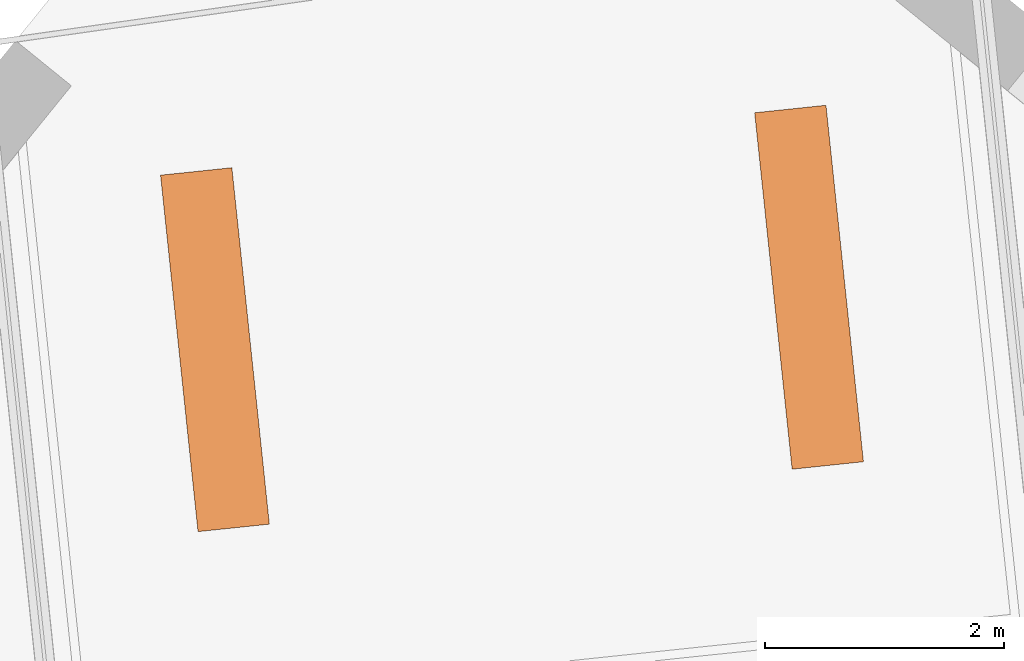
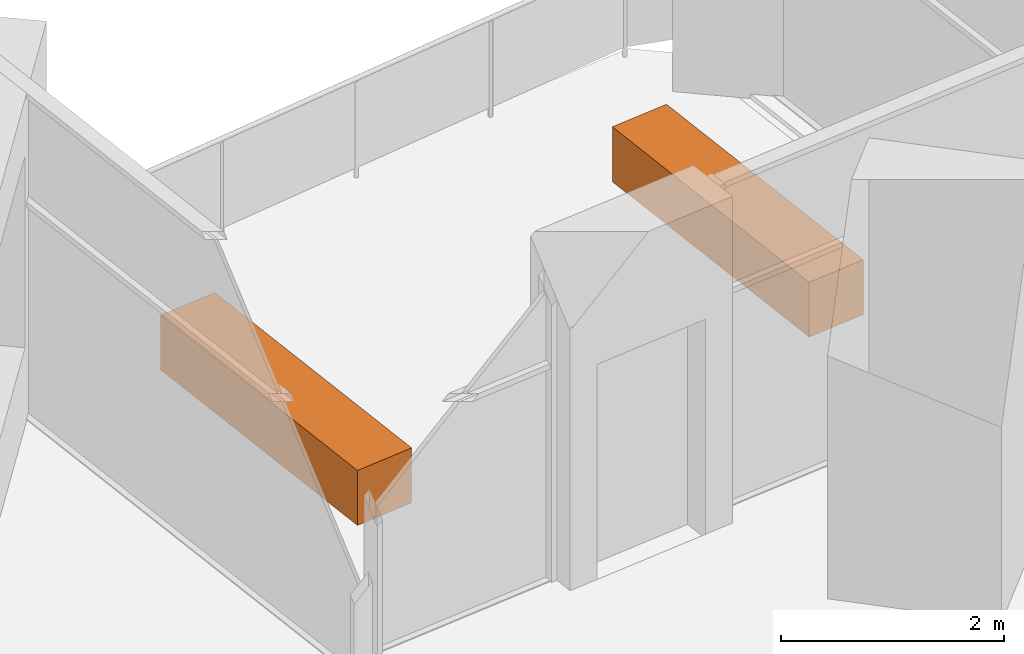
# One storey, part 14 of 14: 2 proxies.
"""IFC4 building model written with IfcOpenShell, lengths in metres."""

import ifcopenshell
import ifcopenshell.guid

model = None  # the IFC model being written
_history = None  # IfcOwnerHistory: only IFC2X3 demands one
_inside = {}  # id of a spatial element -> (the spatial element, [elements in it])
_under = {}  # id of a project, library or spatial element -> (it, [spatial elements below it])
_declared = {}  # id of a project -> (the project, [libraries it declares])
_typed = {}  # id of a type object -> (the type object, [elements of that type])
_made_of = {}  # id of a material, layer set ... -> (it, [elements and type objects made of it])


def new_model(schema):
    """Start an empty IFC model of exactly this schema.

    Asked for "IFC4X3", IfcOpenShell would pick the latest addendum, in which some entities
    have other attributes; the version numbers below select the first issue.
    IFC2X3 requires an IfcOwnerHistory on every rooted entity: one is made here for all.
    """
    global model, _history
    if schema == "IFC4X3":
        model = ifcopenshell.file(schema_version=(4, 3, 0, 0))
    else:
        model = ifcopenshell.file(schema=schema)
    _inside.clear()
    _under.clear()
    _declared.clear()
    _typed.clear()
    _made_of.clear()
    _history = None
    if model.schema == "IFC2X3":
        org = make("IfcOrganization", Name="unknown")
        user = make(
            "IfcPersonAndOrganization",
            ThePerson=make("IfcPerson", FamilyName="unknown"),
            TheOrganization=org,
        )
        app = make(
            "IfcApplication",
            ApplicationDeveloper=org,
            Version="unknown",
            ApplicationFullName="unknown",
            ApplicationIdentifier="unknown",
        )
        _history = make(
            "IfcOwnerHistory",
            OwningUser=user,
            OwningApplication=app,
            ChangeAction="ADDED",
            CreationDate=0,
        )
    return model


def make(cls, **values):
    """One entity of the class cls with the attributes given. An attribute that is None is left unset."""
    return model.create_entity(
        cls, **{name: value for name, value in values.items() if value is not None}
    )


def rooted(cls, **values):
    """An entity with a GlobalId (a new one), such as an element, a storey or a relation."""
    return make(cls, GlobalId=ifcopenshell.guid.new(), OwnerHistory=_history, **values)


def si_unit(unit_type, name, prefix=None):
    """IfcSIUnit, for example si_unit("LENGTHUNIT", "METRE", prefix="MILLI")."""
    return make("IfcSIUnit", UnitType=unit_type, Prefix=prefix, Name=name)


def assignment(units):
    """IfcUnitAssignment: the units of a project."""
    return None if units is None else make("IfcUnitAssignment", Units=units)


def point(xyz):
    """IfcCartesianPoint."""
    return None if xyz is None else make("IfcCartesianPoint", Coordinates=xyz)


def direction(xyz):
    """IfcDirection."""
    return None if xyz is None else make("IfcDirection", DirectionRatios=xyz)


def frame(location, z_axis=None, x_axis=None):
    """IfcAxis2Placement3D, a coordinate frame: its origin and axes. An axis left out is left unset."""
    return make(
        "IfcAxis2Placement3D",
        Location=point(location),
        Axis=direction(z_axis),
        RefDirection=direction(x_axis),
    )


def frame_2d(location, x_axis=None):
    """IfcAxis2Placement2D, a coordinate frame in the plane: its origin and x axis."""
    return make(
        "IfcAxis2Placement2D", Location=point(location), RefDirection=direction(x_axis)
    )


def origin():
    """The frame at (0, 0, 0) with its axes left unset."""
    return frame((0.0, 0.0, 0.0))


def origin_2d():
    """The frame at (0, 0) in the plane with its x axis left unset."""
    return frame_2d((0.0, 0.0))


def place(relative_to, where):
    """IfcLocalPlacement: puts the frame where relative to a parent placement (None: the world)."""
    return make(
        "IfcLocalPlacement", PlacementRelTo=relative_to, RelativePlacement=where
    )


def context(
    kind, dimensions, precision=None, world=None, true_north=None, identifier=None
):
    """IfcGeometricRepresentationContext, for example the 3D "Model" context."""
    return make(
        "IfcGeometricRepresentationContext",
        ContextIdentifier=identifier,
        ContextType=kind,
        CoordinateSpaceDimension=dimensions,
        Precision=precision,
        WorldCoordinateSystem=world,
        TrueNorth=true_north,
    )


def subcontext(parent, identifier, kind, view, scale=None):
    """IfcGeometricRepresentationSubContext, for example "Body" below "Model"."""
    return make(
        "IfcGeometricRepresentationSubContext",
        ContextIdentifier=identifier,
        ContextType=kind,
        ParentContext=parent,
        TargetScale=scale,
        TargetView=view,
    )


def project(units=None, contexts=None):
    """IfcProject with its units and contexts."""
    return rooted(
        "IfcProject",
        Name="project",
        RepresentationContexts=contexts,
        UnitsInContext=assignment(units),
    )


def spatial(cls, under=None, at=None, **own):
    """A site, building, storey or space (cls), placed at a placement, below another one or the project."""
    s = rooted(cls, ObjectPlacement=at, **own)
    if under is not None:
        _under.setdefault(under.id(), (under, []))[1].append(s)
    return s


def profile(cls, at=None, kind="AREA", **sizes):
    """A parametric profile (cls). Its sizes go by their IFC names, for example OverallWidth=200.0."""
    return make(cls, ProfileType=kind, Position=at, **sizes)


def rectangle(**sizes):
    """IfcRectangleProfileDef."""
    return profile("IfcRectangleProfileDef", **sizes)


def extrude(swept, where, along, depth):
    """IfcExtrudedAreaSolid: the profile swept, set in the frame where, extruded along a direction by depth."""
    return make(
        "IfcExtrudedAreaSolid",
        SweptArea=swept,
        Position=where,
        ExtrudedDirection=direction(along),
        Depth=depth,
    )


def shape(context_of_items, identifier, shape_type, items):
    """IfcShapeRepresentation: the items that make up one representation, for example the "Body"."""
    return make(
        "IfcShapeRepresentation",
        ContextOfItems=context_of_items,
        RepresentationIdentifier=identifier,
        RepresentationType=shape_type,
        Items=items,
    )


def made_of(thing, what):
    """Note that an element or type object is made of a material, layer set ...; save() writes the relation."""
    if what is not None:
        _made_of.setdefault(what.id(), (what, []))[1].append(thing)
    return thing


def element(
    cls,
    number,
    at=None,
    inside=None,
    cuts=None,
    type_object=None,
    material=None,
    context=None,
    identifier="Body",
    shape_type=None,
    held_by="IfcProductDefinitionShape",
    body=None,
    shapes=None,
    **own,
):
    """One element of the class cls, such as IfcWall. Its Tag is "e" and its number.

    at: its placement. inside: the storey or other place that contains it. cuts: it is an
    opening in that element (IfcRelVoidsElement). A single representation is given by context,
    identifier, shape_type and body (its items); several are given by shapes. held_by: the class
    of the entity that holds the representations. save() writes the other relations.
    """
    e = rooted(cls, Tag="e%d" % number, ObjectPlacement=at, **own)
    if body is not None:
        shapes = [shape(context, identifier, shape_type, body)]
    if shapes is not None:
        e.Representation = make(held_by, Representations=shapes)
    if inside is not None:
        _inside.setdefault(inside.id(), (inside, []))[1].append(e)
    if cuts is not None:
        rooted(
            "IfcRelVoidsElement", RelatingBuildingElement=cuts, RelatedOpeningElement=e
        )
    if type_object is not None:
        _typed.setdefault(type_object.id(), (type_object, []))[1].append(e)
    return made_of(e, material)


def aggregate(whole, parts):
    """IfcRelAggregates: a whole, such as a stair, and the parts it consists of."""
    return rooted("IfcRelAggregates", RelatingObject=whole, RelatedObjects=parts)


def save(model, path):
    """Write the relations noted so far, then the file.

    IfcRelAggregates (storeys below a building ...), IfcRelContainedInSpatialStructure (elements
    in a storey), IfcRelDefinesByType, IfcRelAssociatesMaterial and IfcRelDeclares: one each for
    every whole, place, type object, material and project.
    """
    for whole, parts in _under.values():
        aggregate(whole, parts)
    for where, things in _inside.values():
        rooted(
            "IfcRelContainedInSpatialStructure",
            RelatedElements=things,
            RelatingStructure=where,
        )
    for kind, things in _typed.values():
        rooted("IfcRelDefinesByType", RelatedObjects=things, RelatingType=kind)
    for what, things in _made_of.values():
        rooted("IfcRelAssociatesMaterial", RelatedObjects=things, RelatingMaterial=what)
    for by, libraries in _declared.values():
        rooted("IfcRelDeclares", RelatingContext=by, RelatedDefinitions=libraries)
    model.write(path)


model = new_model("IFC4")

# Units and contexts
model_context = context("Model", 3, precision=1e-05, world=origin(), true_north=direction((0.0, 1.0)))
body_context = subcontext(model_context, "Body", "Model", "MODEL_VIEW")
ifc_project = project(units=[si_unit("LENGTHUNIT", "METRE"), si_unit("AREAUNIT", "SQUARE_METRE"), si_unit("VOLUMEUNIT", "CUBIC_METRE"), si_unit("PLANEANGLEUNIT", "RADIAN"), si_unit("MASSUNIT", "GRAM", prefix="KILO")], contexts=[model_context])

# Site, building, storey
site_placement = place(None, origin())
site = spatial("IfcSite", under=ifc_project, at=site_placement, CompositionType="ELEMENT")
building_placement = place(site_placement, origin())
building = spatial("IfcBuilding", under=site, at=building_placement, Name="Dilmun Exchange Tower", CompositionType="ELEMENT")
storey_placement = place(building_placement, frame((0.0, 0.0, 233.300048828125)))
storey = spatial("IfcBuildingStorey", under=building, at=storey_placement, Name="L55", CompositionType="ELEMENT", Elevation=233.300048828125)

# Proxies
for number, where, z_axis, x_axis, name in (
    (1, (2.630859375, 32.70947265625, 0.0), (0.0, 0.0, 1.0), (-0.104528463268, 0.994521895368, 0.0), "PLANTER Date palm L55.1"),
    (2, (-2.341796875, 32.18701171875, 0.0), (0.0, 0.0, 1.0), (-0.104528463268, 0.994521895368, 0.0), "PLANTER Date palm L55.2"),
):
    element("IfcBuildingElementProxy", number, at=place(storey_placement, frame(where, z_axis=z_axis, x_axis=x_axis)), inside=storey, Name=name, ObjectType="PLANTER", PredefinedType="USERDEFINED", context=body_context, shape_type="SweptSolid", body=[
        extrude(rectangle(XDim=3.0, YDim=0.60009765625, at=origin_2d()), origin(), (0.0, 0.0, 1.0), 0.60009765625),
    ])

save(model, "model.ifc")
